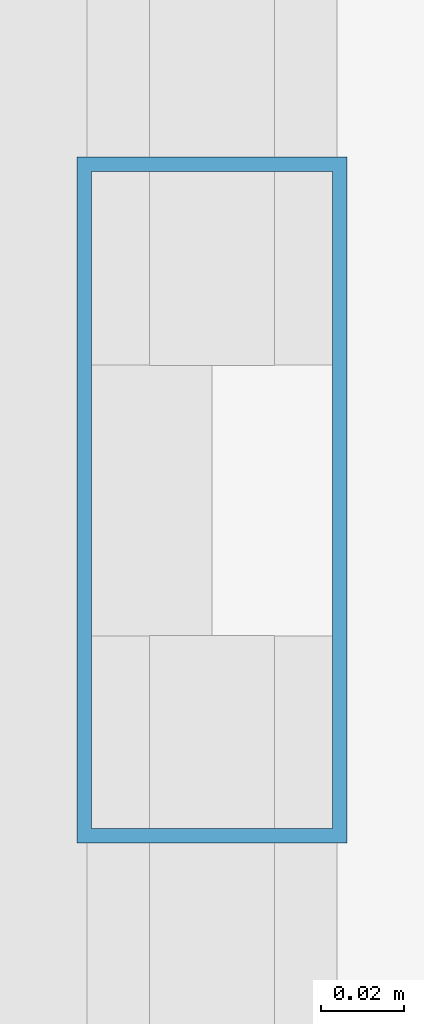
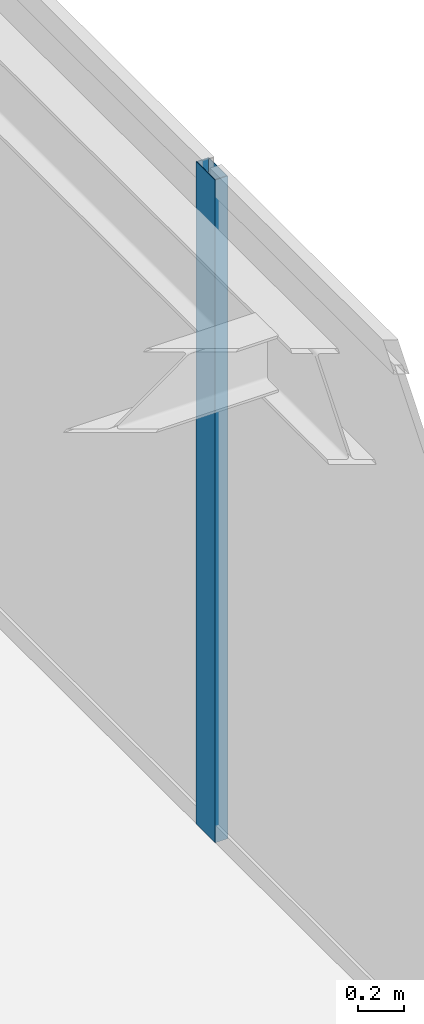
# One storey, part 17 of 30: 1 member, 1 element without a shape of its own.
"""IFC4 building model written with IfcOpenShell, lengths in metres."""

from ifc_helpers import new_model, si_unit, direction, frame, origin, origin_2d, place, context, subcontext, project, spatial, hollow_rectangle, extrude, source, transform, mapped, material, layer, layer_set, material_profile, profile_set, type_object, type_shapes, element, aggregate, save


model = new_model("IFC4")

# Units and contexts
model_context = context("Model", 3, precision=1e-05, world=origin(), true_north=direction((0.0, 1.0)))
body_context = subcontext(model_context, "Body", "Model", "MODEL_VIEW")
ifc_project = project(units=[si_unit("LENGTHUNIT", "METRE"), si_unit("AREAUNIT", "SQUARE_METRE"), si_unit("VOLUMEUNIT", "CUBIC_METRE"), si_unit("PLANEANGLEUNIT", "RADIAN"), si_unit("MASSUNIT", "GRAM", prefix="KILO")], contexts=[model_context])

# Site, building, storey
site_placement = place(None, origin())
site = spatial("IfcSite", under=ifc_project, at=site_placement, CompositionType="ELEMENT")
building_placement = place(site_placement, origin())
building = spatial("IfcBuilding", under=site, at=building_placement, Name="Varnel Quay Broadcast Tower", CompositionType="ELEMENT")
storey_placement = place(building_placement, frame((0.0, 0.0, 149.60009765625)))
storey = spatial("IfcBuildingStorey", under=building, at=storey_placement, Name="L36", CompositionType="ELEMENT", Elevation=149.60009765625)

# Curtain wall, member
ifc_material = material(Name="Anodised Bronze Aluminium 6063-T6", Category="aluminium")
ifc_layer = layer(ifc_material, 0.18994140625, Name="Anodised Bronze Aluminium 6063-T6")
ifc_layer_set = layer_set([ifc_layer], Name="Anodised Bronze Aluminium 6063-T6")
curtain_wall_type = type_object("IfcCurtainWallType", Name="CW_UpperTower", PredefinedType="NOTDEFINED", material=ifc_layer_set)
curtain_wall_placement = place(storey_placement, origin())
curtain_wall = element("IfcCurtainWall", 1, at=curtain_wall_placement, inside=storey, type_object=curtain_wall_type, Name="L36 East Unitised Curtain Wall", PredefinedType="NOTDEFINED")
ifc_material_profile = material_profile(ifc_material, hollow_rectangle(XDim=0.06494140625, YDim=0.1650390625, WallThickness=0.00341796875, at=origin_2d()), Name="ALU65X165X3.5")
ifc_profile_set = profile_set([ifc_material_profile], Name="Anodised Bronze Aluminium 6063-T6")
member_type = type_object("IfcMemberType", Name="Mull_CWS-03", PredefinedType="MULLION", material=ifc_profile_set)
shared_shape = source(origin(), body_context, "Body", "SweptSolid", [
    extrude(hollow_rectangle(XDim=0.06494140625, YDim=0.1650390625, WallThickness=0.00341796875, at=origin_2d()), origin(), (0.0, 0.0, 1.0), 3.5498046875),
])
type_shapes(member_type, [shared_shape])
member_placement = place(storey_placement, frame((60.85009765625, 21.60009765625, 0.0), z_axis=(0.0, 0.0, 1.0), x_axis=(-1.0, 0.0, 0.0)))
member = element("IfcMember", 2, at=member_placement, type_object=member_type, Name="CWS-03 mullion 2", PredefinedType="MULLION", context=body_context, shape_type="MappedRepresentation", body=[
    mapped(shared_shape, transform((0.0, 0.0, 0.0), x_axis=(1.0, 0.0, 0.0), y_axis=(0.0, 1.0, 0.0), z_axis=(0.0, 0.0, 1.0), scale=1.0)),
])
aggregate(curtain_wall, [member])

save(model, "model.ifc")
